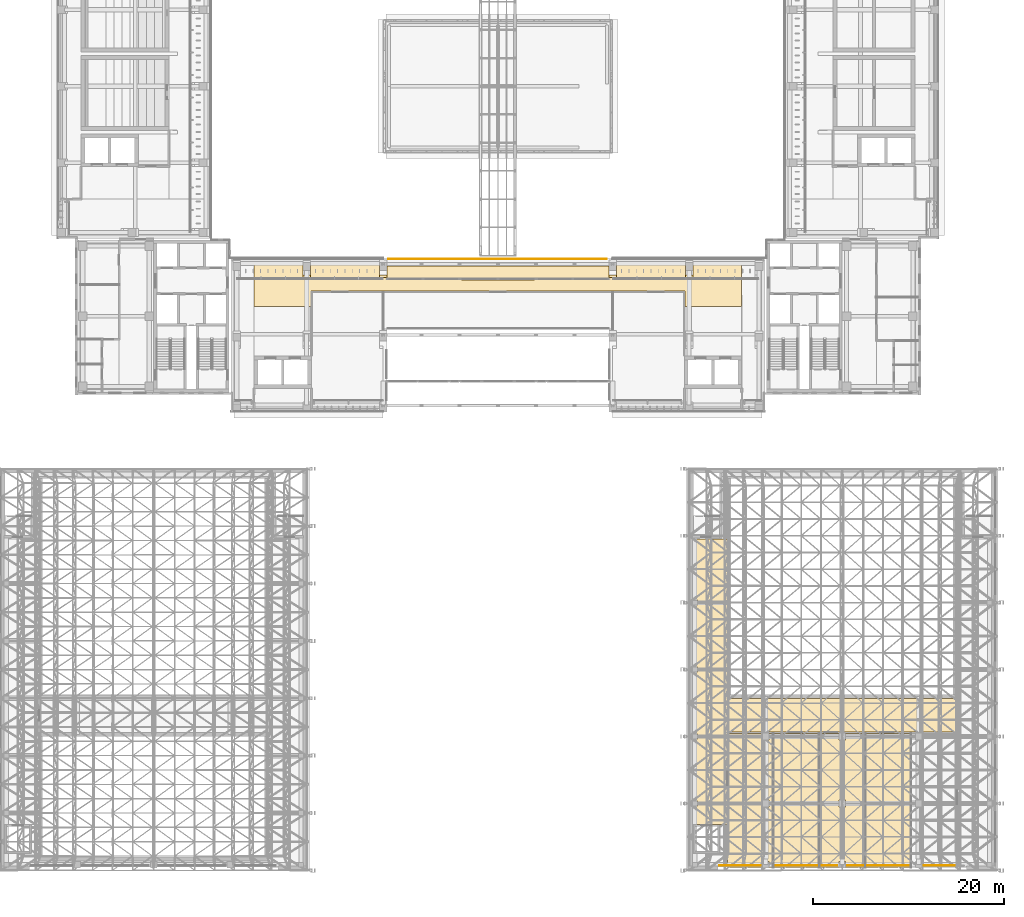
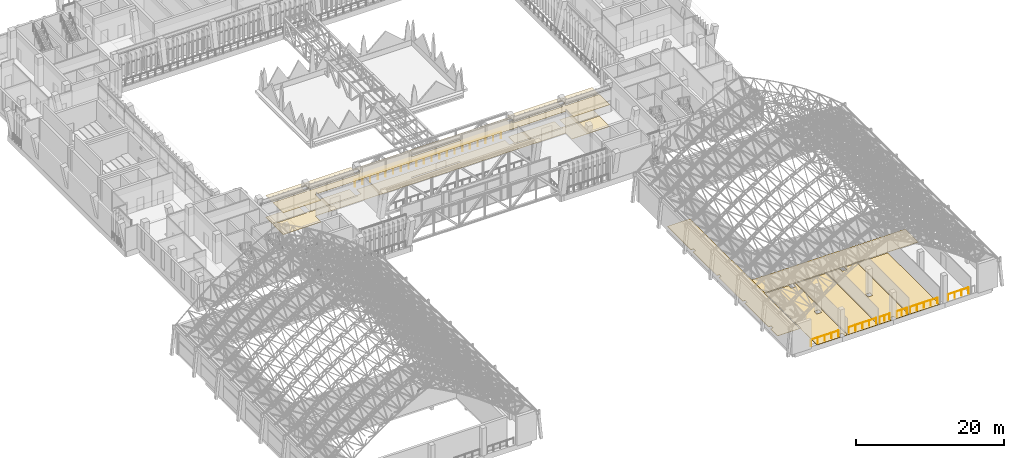
# One storey, part 123 of 141: 8 coverings, 7 railings.
"""IFC4 building model written with IfcOpenShell, lengths in metres."""

from ifc_helpers import new_model, si_unit, direction, frame, origin, origin_2d, place, context, subcontext, project, spatial, polyline, circle, outline, extrude, material, layer, layer_set, type_object, element, save


model = new_model("IFC4")

# Units and contexts
model_context = context("Model", 3, precision=1e-05, world=origin(), true_north=direction((0.0, 1.0)))
body_context = subcontext(model_context, "Body", "Model", "MODEL_VIEW")
ifc_project = project(units=[si_unit("LENGTHUNIT", "METRE"), si_unit("AREAUNIT", "SQUARE_METRE"), si_unit("VOLUMEUNIT", "CUBIC_METRE"), si_unit("PLANEANGLEUNIT", "RADIAN"), si_unit("MASSUNIT", "GRAM", prefix="KILO")], contexts=[model_context])

# Site, building, storey
site_placement = place(None, origin())
site = spatial("IfcSite", under=ifc_project, at=site_placement, CompositionType="ELEMENT")
building_placement = place(site_placement, origin())
building = spatial("IfcBuilding", under=site, at=building_placement, Name="Lantern Court Media Centre", CompositionType="ELEMENT")
storey_placement = place(building_placement, frame((0.0, 0.0, 9.60009765625)))
storey = spatial("IfcBuildingStorey", under=building, at=storey_placement, Name="L02", CompositionType="ELEMENT", Elevation=9.60009765625)

# Coverings
ifc_material_1 = material(Name="Carpet")
ifc_layer_1 = layer(ifc_material_1, 0.050048828125)
ifc_layer_set_1 = layer_set([ifc_layer_1], Name="Carpet")
covering_type_1 = type_object("IfcCoveringType", Name="Carpet floor finish", PredefinedType="FLOORING", material=ifc_layer_set_1)
covering_1_placement = place(storey_placement, origin())
element("IfcCovering", 1, at=covering_1_placement, inside=storey, type_object=covering_type_1, Name="Scenery and Props Store floor finish", PredefinedType="FLOORING", context=body_context, shape_type="SweptSolid", body=[
    extrude(outline(polyline([(76.0, -1.699951171875), (76.0, 2.794921875), (76.0673828125, 2.800048828125), (76.0673828125, 12.33251953125), (79.64501953125, 12.33251953125), (79.64990234375, 11.64501953125), (80.352783203125, 11.645751953125), (80.35498046875, 12.33251953125), (80.7451171875, 12.33251953125), (80.7451171875, -1.699951171875), (80.35498046875, -1.699951171875), (80.35009765625, -1.044921875), (79.646484375, -1.04638671875), (79.64501953125, -1.699951171875), (76.0, -1.699951171875)]), holes=[polyline([(79.64501953125, 4.64990234375), (80.353515625, 4.646484375), (80.353515625, 5.353515625), (79.646484375, 5.353515625), (79.64501953125, 4.64990234375)])]), origin(), (0.0, 0.0, 1.0), 0.0498046875),
])
covering_2_placement = place(storey_placement, origin())
element("IfcCovering", 2, at=covering_2_placement, inside=storey, type_object=covering_type_1, Name="Make-up Room floor finish", PredefinedType="FLOORING", context=body_context, shape_type="SweptSolid", body=[
    extrude(outline(polyline([(80.85498046875, -1.699951171875), (80.85498046875, 12.33251953125), (85.544921875, 12.33251953125), (85.544921875, -1.699951171875), (80.85498046875, -1.699951171875)])), origin(), (0.0, 0.0, 1.0), 0.0498046875),
])
covering_3_placement = place(storey_placement, origin())
element("IfcCovering", 3, at=covering_3_placement, inside=storey, type_object=covering_type_1, Name="Green Room 01 floor finish", PredefinedType="FLOORING", context=body_context, shape_type="SweptSolid", body=[
    extrude(outline(polyline([(85.655029296875, -1.699951171875), (85.655029296875, 12.33251953125), (87.64501953125, 12.33251953125), (87.64990234375, 11.64501953125), (88.353515625, 11.646484375), (88.35498046875, 12.33251953125), (90.344970703125, 12.33251953125), (90.344970703125, -1.699951171875), (88.35498046875, -1.699951171875), (88.35009765625, -1.044921875), (87.646484375, -1.04638671875), (87.64501953125, -1.699951171875), (85.655029296875, -1.699951171875)]), holes=[polyline([(87.64501953125, 4.64990234375), (88.353515625, 4.646484375), (88.353515625, 5.353515625), (87.646484375, 5.353515625), (87.64501953125, 4.64990234375)])]), origin(), (0.0, 0.0, 1.0), 0.0498046875),
])
covering_4_placement = place(storey_placement, origin())
element("IfcCovering", 4, at=covering_4_placement, inside=storey, type_object=covering_type_1, Name="Green Room 02 floor finish", PredefinedType="FLOORING", context=body_context, shape_type="SweptSolid", body=[
    extrude(outline(polyline([(90.455078125, -1.699951171875), (90.455078125, 12.33251953125), (95.14501953125, 12.33251953125), (95.14501953125, -1.699951171875), (90.455078125, -1.699951171875)])), origin(), (0.0, 0.0, 1.0), 0.0498046875),
])

# Railings
ifc_material_2 = material(Name="Powder-coated steel", Category="steel")
railing_type = type_object("IfcRailingType", Name="Floor edge guard 1100", PredefinedType="GUARDRAIL", material=ifc_material_2)
railing_1_placement = place(storey_placement, frame((40.572021484375, 61.93994140625, 0.0)))
element("IfcRailing", 5, at=railing_1_placement, inside=storey, type_object=railing_type, Name="L02 edge guard 51", PredefinedType="GUARDRAIL", context=body_context, shape_type="SweptSolid", body=[
    extrude(circle(Radius=0.02392578125, at=origin_2d()), frame((0.0, 0.0, 1.076171875), z_axis=(1.0, 0.0, 0.0), x_axis=(0.0, 1.0, 0.0)), (0.0, 0.0, 1.0), 22.7939453125),
    extrude(circle(Radius=0.02099609375, at=origin_2d()), origin(), (0.0, 0.0, 1.0), 1.052001953125),
    extrude(circle(Radius=0.02099609375, at=origin_2d()), frame((1.19970703125, 0.0, 0.0)), (0.0, 0.0, 1.0), 1.052001953125),
    extrude(circle(Radius=0.02099609375, at=origin_2d()), frame((2.3994140625, 0.0, 0.0)), (0.0, 0.0, 1.0), 1.052001953125),
    extrude(circle(Radius=0.02099609375, at=origin_2d()), frame((3.59912109375, 0.0, 0.0)), (0.0, 0.0, 1.0), 1.052001953125),
    extrude(circle(Radius=0.02099609375, at=origin_2d()), frame((4.798828125, 0.0, 0.0)), (0.0, 0.0, 1.0), 1.052001953125),
    extrude(circle(Radius=0.02099609375, at=origin_2d()), frame((5.998291015625, 0.0, 0.0)), (0.0, 0.0, 1.0), 1.052001953125),
    extrude(circle(Radius=0.02099609375, at=origin_2d()), frame((7.197998046875, 0.0, 0.0)), (0.0, 0.0, 1.0), 1.052001953125),
    extrude(circle(Radius=0.02099609375, at=origin_2d()), frame((8.397705078125, 0.0, 0.0)), (0.0, 0.0, 1.0), 1.052001953125),
    extrude(circle(Radius=0.02099609375, at=origin_2d()), frame((9.597412109375, 0.0, 0.0)), (0.0, 0.0, 1.0), 1.052001953125),
    extrude(circle(Radius=0.02099609375, at=origin_2d()), frame((10.797119140625, 0.0, 0.0)), (0.0, 0.0, 1.0), 1.052001953125),
    extrude(circle(Radius=0.02099609375, at=origin_2d()), frame((11.996826171875, 0.0, 0.0)), (0.0, 0.0, 1.0), 1.052001953125),
    extrude(circle(Radius=0.02099609375, at=origin_2d()), frame((13.196533203125, 0.0, 0.0)), (0.0, 0.0, 1.0), 1.052001953125),
    extrude(circle(Radius=0.02099609375, at=origin_2d()), frame((14.396240234375, 0.0, 0.0)), (0.0, 0.0, 1.0), 1.052001953125),
    extrude(circle(Radius=0.02099609375, at=origin_2d()), frame((15.595947265625, 0.0, 0.0)), (0.0, 0.0, 1.0), 1.052001953125),
    extrude(circle(Radius=0.02099609375, at=origin_2d()), frame((16.795654296875, 0.0, 0.0)), (0.0, 0.0, 1.0), 1.052001953125),
    extrude(circle(Radius=0.02099609375, at=origin_2d()), frame((17.9951171875, 0.0, 0.0)), (0.0, 0.0, 1.0), 1.052001953125),
    extrude(circle(Radius=0.02099609375, at=origin_2d()), frame((19.19482421875, 0.0, 0.0)), (0.0, 0.0, 1.0), 1.052001953125),
    extrude(circle(Radius=0.02099609375, at=origin_2d()), frame((20.39453125, 0.0, 0.0)), (0.0, 0.0, 1.0), 1.052001953125),
    extrude(circle(Radius=0.02099609375, at=origin_2d()), frame((21.59423828125, 0.0, 0.0)), (0.0, 0.0, 1.0), 1.052001953125),
    extrude(circle(Radius=0.02099609375, at=origin_2d()), frame((22.7939453125, 0.0, 0.0)), (0.0, 0.0, 1.0), 1.052001953125),
])
railing_2_placement = place(storey_placement, frame((79.467041015625, -1.489990234375, 0.0)))
element("IfcRailing", 6, at=railing_2_placement, inside=storey, type_object=railing_type, Name="L02 edge guard 56", PredefinedType="GUARDRAIL", context=body_context, shape_type="SweptSolid", body=[
    extrude(circle(Radius=0.02392578125, at=origin_2d()), frame((0.0, 0.0, 1.076171875), z_axis=(-1.0, 0.0, 0.0), x_axis=(0.0, -1.0, 0.0)), (0.0, 0.0, 1.0), 4.298095703125),
    extrude(circle(Radius=0.02099609375, at=origin_2d()), origin(), (0.0, 0.0, 1.0), 1.052001953125),
    extrude(circle(Radius=0.02099609375, at=origin_2d()), frame((-1.074462890625, 0.0, 0.0)), (0.0, 0.0, 1.0), 1.052001953125),
    extrude(circle(Radius=0.02099609375, at=origin_2d()), frame((-2.14892578125, 0.0, 0.0)), (0.0, 0.0, 1.0), 1.052001953125),
    extrude(circle(Radius=0.02099609375, at=origin_2d()), frame((-3.2236328125, 0.0, 0.0)), (0.0, 0.0, 1.0), 1.052001953125),
    extrude(circle(Radius=0.02099609375, at=origin_2d()), frame((-4.298095703125, 0.0, 0.0)), (0.0, 0.0, 1.0), 1.052001953125),
])
railing_3_placement = place(storey_placement, frame((85.365966796875, -1.489990234375, 0.0)))
element("IfcRailing", 7, at=railing_3_placement, inside=storey, type_object=railing_type, Name="L02 edge guard 59", PredefinedType="GUARDRAIL", context=body_context, shape_type="SweptSolid", body=[
    extrude(circle(Radius=0.02392578125, at=origin_2d()), frame((0.0, 0.0, 1.076171875), z_axis=(-1.0, 0.0, 0.0), x_axis=(0.0, -1.0, 0.0)), (0.0, 0.0, 1.0), 4.299072265625),
    extrude(circle(Radius=0.02099609375, at=origin_2d()), origin(), (0.0, 0.0, 1.0), 1.052001953125),
    extrude(circle(Radius=0.02099609375, at=origin_2d()), frame((-1.07470703125, 0.0, 0.0)), (0.0, 0.0, 1.0), 1.052001953125),
    extrude(circle(Radius=0.02099609375, at=origin_2d()), frame((-2.1494140625, 0.0, 0.0)), (0.0, 0.0, 1.0), 1.052001953125),
    extrude(circle(Radius=0.02099609375, at=origin_2d()), frame((-3.224365234375, 0.0, 0.0)), (0.0, 0.0, 1.0), 1.052001953125),
    extrude(circle(Radius=0.02099609375, at=origin_2d()), frame((-4.299072265625, 0.0, 0.0)), (0.0, 0.0, 1.0), 1.052001953125),
])
for number, where, name in (
    (8, (87.465087890625, -1.489990234375, 0.0), "L02 edge guard 60"),
    (9, (90.1640625, -1.489990234375, 0.0), "L02 edge guard 61"),
):
    element("IfcRailing", number, at=place(storey_placement, frame(where)), inside=storey, type_object=railing_type, Name=name, PredefinedType="GUARDRAIL", context=body_context, shape_type="SweptSolid", body=[
        extrude(circle(Radius=0.02392578125, at=origin_2d()), frame((0.0, 0.0, 1.076171875), z_axis=(-1.0, 0.0, 0.0), x_axis=(0.0, -1.0, 0.0)), (0.0, 0.0, 1.0), 1.59912109375),
        extrude(circle(Radius=0.02099609375, at=origin_2d()), origin(), (0.0, 0.0, 1.0), 1.052001953125),
        extrude(circle(Radius=0.02099609375, at=origin_2d()), frame((-0.799560546875, 0.0, 0.0)), (0.0, 0.0, 1.0), 1.052001953125),
        extrude(circle(Radius=0.02099609375, at=origin_2d()), frame((-1.59912109375, 0.0, 0.0)), (0.0, 0.0, 1.0), 1.052001953125),
    ])
railing_4_placement = place(storey_placement, frame((94.962890625, -1.489990234375, 0.0)))
element("IfcRailing", 10, at=railing_4_placement, inside=storey, type_object=railing_type, Name="L02 edge guard 62", PredefinedType="GUARDRAIL", context=body_context, shape_type="SweptSolid", body=[
    extrude(circle(Radius=0.02392578125, at=origin_2d()), frame((0.0, 0.0, 1.076171875), z_axis=(-1.0, 0.0, 0.0), x_axis=(0.0, -1.0, 0.0)), (0.0, 0.0, 1.0), 4.298828125),
    extrude(circle(Radius=0.02099609375, at=origin_2d()), origin(), (0.0, 0.0, 1.0), 1.052001953125),
    extrude(circle(Radius=0.02099609375, at=origin_2d()), frame((-1.07470703125, 0.0, 0.0)), (0.0, 0.0, 1.0), 1.052001953125),
    extrude(circle(Radius=0.02099609375, at=origin_2d()), frame((-2.1494140625, 0.0, 0.0)), (0.0, 0.0, 1.0), 1.052001953125),
    extrude(circle(Radius=0.02099609375, at=origin_2d()), frame((-3.22412109375, 0.0, 0.0)), (0.0, 0.0, 1.0), 1.052001953125),
    extrude(circle(Radius=0.02099609375, at=origin_2d()), frame((-4.298828125, 0.0, 0.0)), (0.0, 0.0, 1.0), 1.052001953125),
])
railing_5_placement = place(storey_placement, frame((99.761962890625, -1.489990234375, 0.0)))
element("IfcRailing", 11, at=railing_5_placement, inside=storey, type_object=railing_type, Name="L02 edge guard 63", PredefinedType="GUARDRAIL", context=body_context, shape_type="SweptSolid", body=[
    extrude(circle(Radius=0.02392578125, at=origin_2d()), frame((0.0, 0.0, 1.076171875), z_axis=(-1.0, 0.0, 0.0), x_axis=(0.0, -1.0, 0.0)), (0.0, 0.0, 1.0), 3.198974609375),
    extrude(circle(Radius=0.02099609375, at=origin_2d()), origin(), (0.0, 0.0, 1.0), 1.052001953125),
    extrude(circle(Radius=0.02099609375, at=origin_2d()), frame((-1.06640625, 0.0, 0.0)), (0.0, 0.0, 1.0), 1.052001953125),
    extrude(circle(Radius=0.02099609375, at=origin_2d()), frame((-2.132568359375, 0.0, 0.0)), (0.0, 0.0, 1.0), 1.052001953125),
    extrude(circle(Radius=0.02099609375, at=origin_2d()), frame((-3.198974609375, 0.0, 0.0)), (0.0, 0.0, 1.0), 1.052001953125),
])

# Coverings
ifc_material_3 = material(Name="Mineral fibre ceiling tile")
ifc_layer_2 = layer(ifc_material_3, 0.02001953125)
ifc_layer_set_2 = layer_set([ifc_layer_2], Name="Mineral fibre ceiling tile")
covering_type_2 = type_object("IfcCoveringType", Name="Suspended ceiling tile", PredefinedType="CEILING", material=ifc_layer_set_2)
covering_5_placement = place(storey_placement, frame((0.0, 0.0, 3.599853515625)))
element("IfcCovering", 12, at=covering_5_placement, inside=storey, type_object=covering_type_2, Name="Corridor ceiling", PredefinedType="CEILING", context=body_context, shape_type="SweptSolid", body=[
    extrude(outline(polyline([(26.5, 61.699951171875), (39.800048828125, 61.699951171875), (39.800048828125, 61.199951171875), (64.199951171875, 61.199951171875), (64.199951171875, 61.699951171875), (77.5, 61.699951171875), (77.5, 59.925537109375), (72.199462890625, 59.925048828125), (72.199951171875, 59.7744140625), (77.5, 59.7744140625), (77.5, 56.949951171875), (71.56298828125, 56.949951171875), (71.5625, 58.56298828125), (32.4375, 58.56298828125), (32.43701171875, 56.949951171875), (26.5, 56.949951171875), (26.5, 59.7744140625), (31.800537109375, 59.77490234375), (31.800048828125, 59.925537109375), (26.5, 59.925537109375), (26.5, 61.699951171875)]), holes=[polyline([(72.39990234375, 60.247314453125), (72.400390625, 60.800537109375), (71.599609375, 60.80029296875), (71.599609375, 60.24755859375), (72.39990234375, 60.247314453125)]), polyline([(72.39990234375, 60.99951171875), (72.400146484375, 61.04833984375), (71.599609375, 61.0478515625), (71.599853515625, 60.99951171875), (72.39990234375, 60.99951171875)]), polyline([(64.199951171875, 59.925537109375), (64.199951171875, 59.7744140625), (71.800537109375, 59.77490234375), (71.800048828125, 59.925537109375), (64.199951171875, 59.925537109375)]), polyline([(64.39990234375, 60.247314453125), (64.400390625, 60.800537109375), (63.599609375, 60.80029296875), (63.599609375, 60.24755859375), (64.39990234375, 60.247314453125)]), polyline([(63.60009765625, 61.04541015625), (64.39990234375, 61.04833984375), (63.599609375, 61.0478515625), (63.60009765625, 61.04541015625)]), polyline([(48.199951171875, 59.950439453125), (48.199951171875, 59.74951171875), (55.800537109375, 59.75), (55.800048828125, 59.950439453125), (48.199951171875, 59.950439453125)]), polyline([(40.39990234375, 60.247314453125), (40.400390625, 60.800537109375), (39.599609375, 60.80029296875), (39.599609375, 60.24755859375), (40.39990234375, 60.247314453125)]), polyline([(39.60009765625, 61.04541015625), (40.39990234375, 61.04833984375), (39.599609375, 61.0478515625), (39.60009765625, 61.04541015625)]), polyline([(32.199951171875, 59.925537109375), (32.199951171875, 59.7744140625), (39.800537109375, 59.77490234375), (39.800048828125, 59.925537109375), (32.199951171875, 59.925537109375)]), polyline([(32.39990234375, 60.99951171875), (32.400146484375, 61.04833984375), (31.599609375, 61.0478515625), (31.599853515625, 60.99951171875), (32.39990234375, 60.99951171875)]), polyline([(32.39990234375, 60.247314453125), (32.400390625, 60.800537109375), (31.599609375, 60.80029296875), (31.599609375, 60.24755859375), (32.39990234375, 60.247314453125)])]), origin(), (0.0, 0.0, 1.0), 0.02001953125),
])
ifc_material_4 = material(Name="Terrazzo")
ifc_layer_3 = layer(ifc_material_4, 0.050048828125)
ifc_layer_set_3 = layer_set([ifc_layer_3], Name="Terrazzo")
covering_type_3 = type_object("IfcCoveringType", Name="Terrazzo floor finish", PredefinedType="FLOORING", material=ifc_layer_set_3)
covering_6_placement = place(storey_placement, origin())
element("IfcCovering", 13, at=covering_6_placement, inside=storey, type_object=covering_type_3, Name="Corridor floor finish", PredefinedType="FLOORING", context=body_context, shape_type="SweptSolid", body=[
    extrude(outline(polyline([(26.5, 61.699951171875), (31.594970703125, 61.699951171875), (31.60009765625, 59.9951171875), (32.404541015625, 59.998046875), (32.405029296875, 61.699951171875), (39.594970703125, 61.699951171875), (39.60009765625, 59.9951171875), (40.404052734375, 59.997314453125), (40.405029296875, 61.199951171875), (63.594970703125, 61.199951171875), (63.595947265625, 59.997314453125), (64.400390625, 59.9951171875), (64.405029296875, 61.699951171875), (71.594970703125, 61.699951171875), (71.595458984375, 59.998046875), (72.39990234375, 59.9951171875), (72.405029296875, 61.699951171875), (77.5, 61.699951171875), (77.5, 59.929931640625), (72.195068359375, 59.925048828125), (72.199951171875, 59.77001953125), (77.5, 59.77001953125), (77.5, 56.949951171875), (71.5673828125, 56.949951171875), (71.5625, 58.5673828125), (32.4375, 58.5673828125), (32.4326171875, 56.949951171875), (26.5, 56.949951171875), (26.5, 59.77001953125), (31.804931640625, 59.77490234375), (31.800048828125, 59.929931640625), (26.5, 59.929931640625), (26.5, 61.699951171875)]), holes=[polyline([(64.199951171875, 59.929931640625), (64.199951171875, 59.77001953125), (71.804931640625, 59.77490234375), (71.800048828125, 59.929931640625), (64.199951171875, 59.929931640625)]), polyline([(48.199951171875, 59.955078125), (48.199951171875, 59.7451171875), (55.804931640625, 59.75), (55.800048828125, 59.955078125), (48.199951171875, 59.955078125)]), polyline([(32.199951171875, 59.929931640625), (32.199951171875, 59.77001953125), (39.804931640625, 59.77490234375), (39.800048828125, 59.929931640625), (32.199951171875, 59.929931640625)])]), origin(), (0.0, 0.0, 1.0), 0.0498046875),
])
covering_7_placement = place(storey_placement, origin())
element("IfcCovering", 14, at=covering_7_placement, inside=storey, type_object=covering_type_3, Name="Exit Corridor floor finish", PredefinedType="FLOORING", context=body_context, shape_type="SweptSolid", body=[
    extrude(outline(polyline([(76.0, 12.467529296875), (75.9326171875, 12.46240234375), (75.9326171875, 2.800048828125), (72.455078125, 2.804931640625), (72.455078125, 4.7451171875), (72.85498046875, 4.75), (72.853759765625, 5.253173828125), (72.455078125, 5.2548828125), (72.455078125, 11.7451171875), (72.85498046875, 11.75), (72.853759765625, 12.253173828125), (72.455078125, 12.2548828125), (72.455078125, 18.7451171875), (72.85498046875, 18.75), (72.853759765625, 19.253173828125), (72.455078125, 19.2548828125), (72.455078125, 25.7451171875), (72.85498046875, 25.75), (72.853759765625, 26.253173828125), (72.455078125, 26.2548828125), (72.455078125, 32.64990234375), (75.9951171875, 32.64990234375), (76.0, 12.467529296875)])), origin(), (0.0, 0.0, 1.0), 0.0498046875),
])
covering_8_placement = place(storey_placement, origin())
element("IfcCovering", 15, at=covering_8_placement, inside=storey, type_object=covering_type_3, Name="Green Room Corridor floor finish", PredefinedType="FLOORING", context=body_context, shape_type="SweptSolid", body=[
    extrude(outline(polyline([(100.0, 12.467529296875), (76.0, 12.467529296875), (76.0, 15.9951171875), (100.0, 15.9951171875), (100.0, 12.467529296875)])), origin(), (0.0, 0.0, 1.0), 0.0498046875),
])

save(model, "model.ifc")
